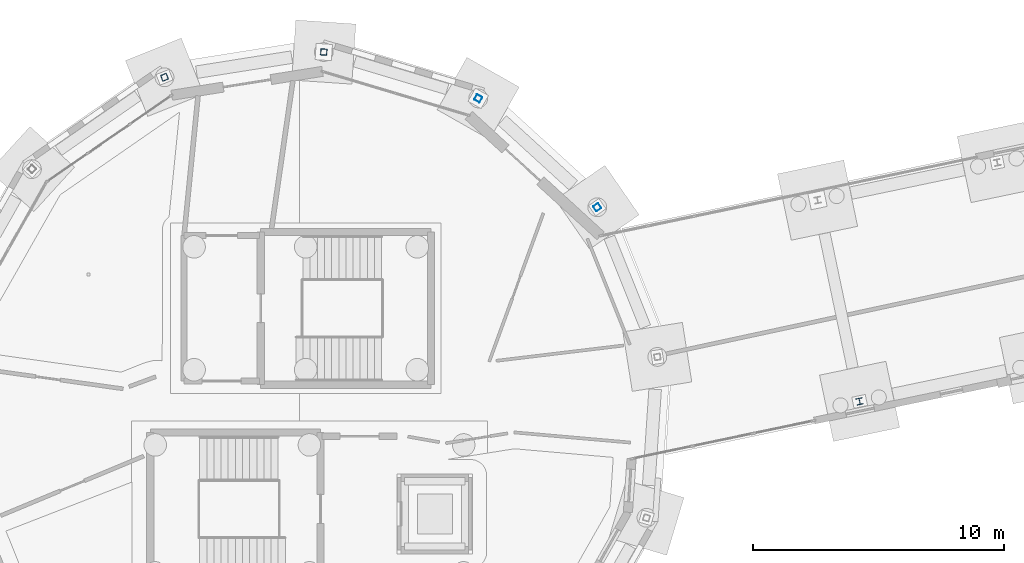
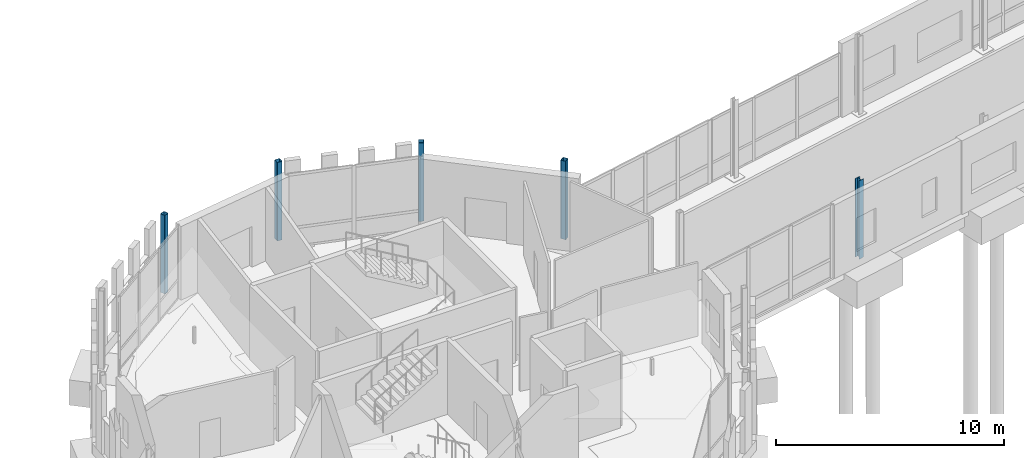
# One storey, part 19 of 113: 5 columns.
"""IFC4 building model written with IfcOpenShell, lengths in metres."""

from ifc_helpers import new_model, si_unit, direction, frame, origin, origin_2d, place, context, subcontext, project, spatial, hollow_rectangle, i_section, extrude, material, material_profile, profile_set, type_object, element, save


model = new_model("IFC4")

# Units and contexts
model_context = context("Model", 3, precision=1e-05, world=origin(), true_north=direction((0.0, 1.0)))
body_context = subcontext(model_context, "Body", "Model", "MODEL_VIEW")
ifc_project = project(units=[si_unit("LENGTHUNIT", "METRE"), si_unit("AREAUNIT", "SQUARE_METRE"), si_unit("VOLUMEUNIT", "CUBIC_METRE"), si_unit("PLANEANGLEUNIT", "RADIAN"), si_unit("MASSUNIT", "GRAM", prefix="KILO")], contexts=[model_context])

# Site, building, storey
site_placement = place(None, origin())
site = spatial("IfcSite", under=ifc_project, at=site_placement, CompositionType="ELEMENT")
building_placement = place(site_placement, origin())
building = spatial("IfcBuilding", under=site, at=building_placement, Name="Wrenclough Park School", CompositionType="ELEMENT")
storey_placement = place(building_placement, origin())
storey = spatial("IfcBuildingStorey", under=building, at=storey_placement, Name="L00", CompositionType="ELEMENT", Elevation=0.0)

# Columns
ifc_material = material(Name="Structural steel S355", Category="steel")
ifc_material_profile_1 = material_profile(ifc_material, hollow_rectangle(XDim=0.25, YDim=0.25, WallThickness=0.012451171875, InnerFilletRadius=0.012451171875, OuterFilletRadius=0.018798828125, at=origin_2d()), Name="SHS 250x250x12.5")
ifc_profile_set_1 = profile_set([ifc_material_profile_1], Name="Structural steel S355")
column_type_1 = type_object("IfcColumnType", Name="STR-COL-SHS250", PredefinedType="COLUMN", material=ifc_profile_set_1)
for number, where, z_axis, x_axis, name in (
    (1, (94.8779296875, 116.72900390625, 0.0), (0.0, 0.0, 1.0), (-0.569423005964, 0.822044670489, 0.0), "D4 L00 column D4-OUT-02"),
    (2, (90.131103515625, 121.06787109375, 0.0), (0.0, 0.0, 1.0), (-0.869753437661, 0.493486532416, 0.0), "D4 L00 column D4-OUT-03"),
    (3, (83.971923828125, 122.917236328125, 0.0), (0.0, 0.0, 1.0), (-0.997731519333, 0.067318759124, 0.0), "D4 L00 column D4-OUT-04"),
    (4, (77.620361328125, 121.911376953125, 0.0), (0.0, 0.0, 1.0), (-0.928096422365, -0.372339939832, 0.0), "D4 L00 column D4-OUT-05"),
):
    element("IfcColumn", number, at=place(storey_placement, frame(where, z_axis=z_axis, x_axis=x_axis)), inside=storey, type_object=column_type_1, Name=name, PredefinedType="COLUMN", context=body_context, shape_type="SweptSolid", body=[
        extrude(hollow_rectangle(XDim=0.25, YDim=0.25, WallThickness=0.012451171875, InnerFilletRadius=0.012451171875, OuterFilletRadius=0.018798828125, at=origin_2d()), origin(), (0.0, 0.0, 1.0), 4.199951171875),
    ])
ifc_material_profile_2 = material_profile(ifc_material, i_section(OverallWidth=0.254638671875, OverallDepth=0.254150390625, WebThickness=0.008544921875, FlangeThickness=0.01416015625, FilletRadius=0.0126953125, at=origin_2d()), Name="UKC 254x254x73")
ifc_profile_set_2 = profile_set([ifc_material_profile_2], Name="Structural steel S355")
column_type_2 = type_object("IfcColumnType", Name="STR-COL-UKC254A", PredefinedType="COLUMN", material=ifc_profile_set_2)
column_placement = place(storey_placement, frame((105.33984375, 108.987060546875, 0.0), z_axis=(0.0, 0.0, 1.0), x_axis=(0.978795946539, 0.204837728554, 0.0)))
element("IfcColumn", 5, at=column_placement, inside=storey, type_object=column_type_2, Name="W45 L00 column W45-C1-R03", PredefinedType="COLUMN", context=body_context, shape_type="SweptSolid", body=[
    extrude(i_section(OverallWidth=0.254638671875, OverallDepth=0.254150390625, WebThickness=0.008544921875, FlangeThickness=0.01416015625, FilletRadius=0.0126953125, at=origin_2d()), origin(), (0.0, 0.0, 1.0), 4.199951171875),
])

save(model, "model.ifc")
